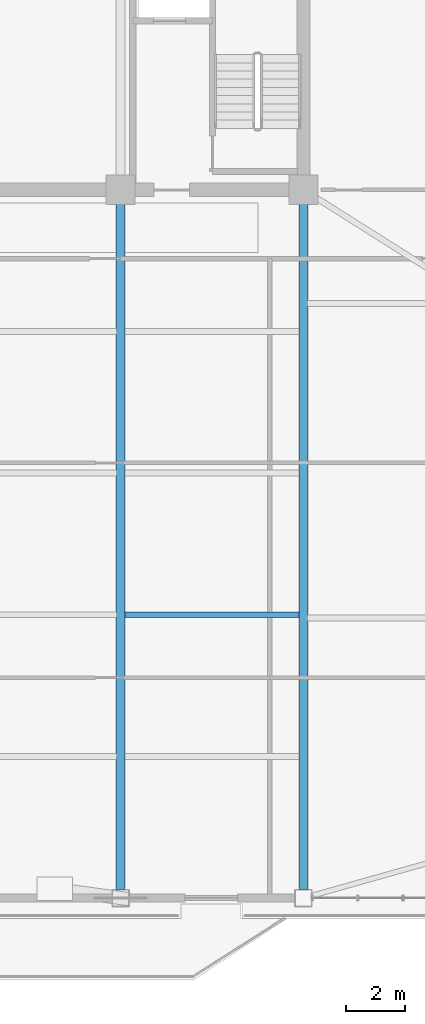
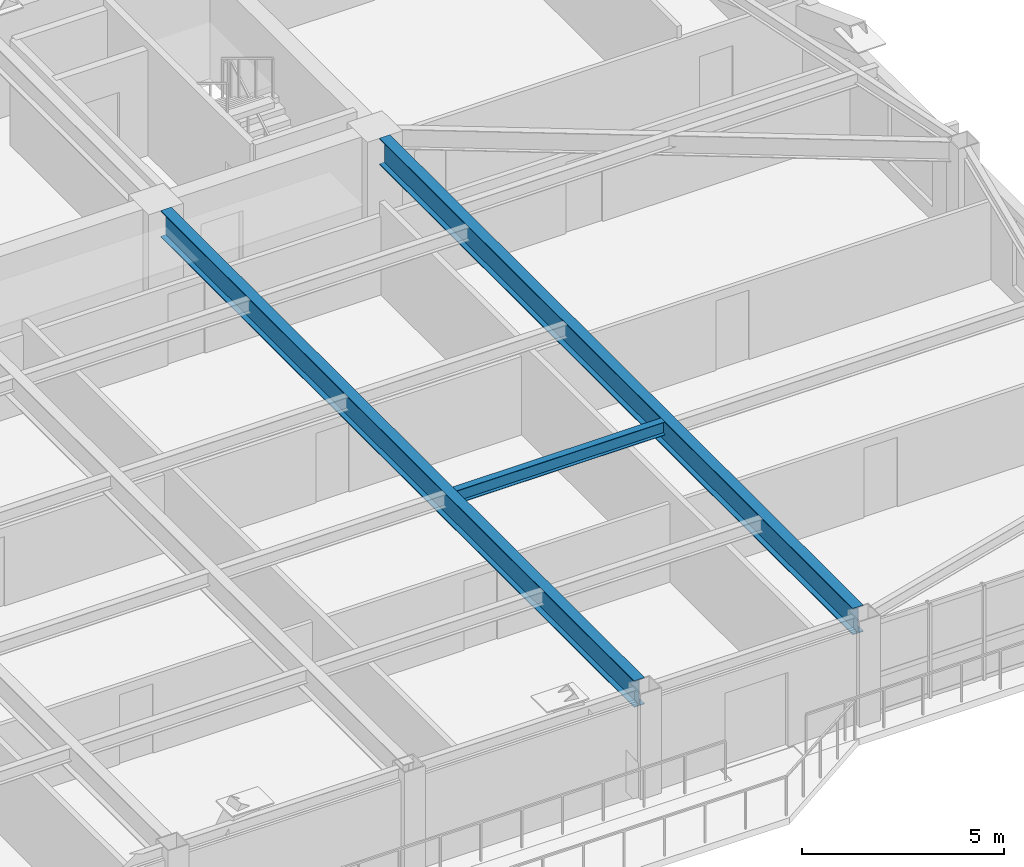
# One storey, part 5 of 16: 3 beams.
"""IFC4 building model written with IfcOpenShell, lengths in metres."""

from ifc_helpers import new_model, si_unit, direction, frame, origin, origin_2d, place, context, subcontext, project, spatial, i_section, extrude, source, transform, mapped, material, material_profile, profile_set, type_object, element, save


model = new_model("IFC4")

# Units and contexts
model_context = context("Model", 3, precision=1e-05, world=origin(), true_north=direction((0.0, 1.0)))
body_context = subcontext(model_context, "Body", "Model", "MODEL_VIEW")
ifc_project = project(units=[si_unit("LENGTHUNIT", "METRE"), si_unit("AREAUNIT", "SQUARE_METRE"), si_unit("VOLUMEUNIT", "CUBIC_METRE"), si_unit("PLANEANGLEUNIT", "RADIAN"), si_unit("MASSUNIT", "GRAM", prefix="KILO")], contexts=[model_context])

# Site, building, storey
site_placement = place(None, origin())
site = spatial("IfcSite", under=ifc_project, at=site_placement, CompositionType="ELEMENT")
building_placement = place(site_placement, origin())
building = spatial("IfcBuilding", under=site, at=building_placement, Name="Giltprow Tower", CompositionType="ELEMENT")
storey_placement = place(building_placement, frame((0.0, 0.0, 227.0)))
storey = spatial("IfcBuildingStorey", under=building, at=storey_placement, Name="L57", CompositionType="ELEMENT", Elevation=227.0)

# Beams
ifc_material = material(Name="Structural steel Q355B", Category="steel")
ifc_material_profile_1 = material_profile(ifc_material, i_section(OverallWidth=0.199951171875, OverallDepth=0.39990234375, WebThickness=0.008056640625, FlangeThickness=0.012939453125, at=origin_2d()), Name="HN 400x200x8x13")
ifc_profile_set_1 = profile_set([ifc_material_profile_1], Name="Structural steel Q355B")
beam_type_1 = type_object("IfcBeamType", Name="BM-JOIST-HN400", PredefinedType="JOIST", material=ifc_profile_set_1)
shared_shape_1 = source(origin(), body_context, "Body", "SweptSolid", [
    extrude(i_section(OverallWidth=0.199951171875, OverallDepth=0.39990234375, WebThickness=0.008056640625, FlangeThickness=0.012939453125, at=origin_2d()), origin(), (0.0, 0.0, 1.0), 5.9599609375),
])
beam_placement = place(storey_placement, frame((44.445068359375, 22.929931640625, 2.985107421875), z_axis=(1.0, 0.0, 0.0), x_axis=(0.0, 1.0, 0.0)))
element("IfcBeam", 1, at=beam_placement, inside=storey, type_object=beam_type_1, Name="L57 Composite Floor Joist 2-4", PredefinedType="JOIST", context=body_context, shape_type="MappedRepresentation", body=[
    mapped(shared_shape_1, transform((0.0, 0.0, 0.0), x_axis=(1.0, 0.0, 0.0), y_axis=(0.0, 1.0, 0.0), z_axis=(0.0, 0.0, 1.0), scale=1.0)),
])
ifc_material_profile_2 = material_profile(ifc_material, i_section(OverallWidth=0.300048828125, OverallDepth=0.800048828125, WebThickness=0.013916015625, FlangeThickness=0.02587890625, at=origin_2d()), Name="HN 800x300x14x26")
ifc_profile_set_2 = profile_set([ifc_material_profile_2], Name="Structural steel Q355B")
beam_type_2 = type_object("IfcBeamType", Name="BM-GIRD-HN800", PredefinedType="BEAM", material=ifc_profile_set_2)
shared_shape_2 = source(origin(), body_context, "Body", "SweptSolid", [
    extrude(i_section(OverallWidth=0.300048828125, OverallDepth=0.800048828125, WebThickness=0.013916015625, FlangeThickness=0.02587890625, at=origin_2d()), origin(), (0.0, 0.0, 1.0), 23.43017578125),
])
for number, where, z_axis, x_axis, name in (
    (2, (44.300048828125, 13.534912109375, 2.784912109375), (0.0, 1.0, 0.0), (-1.0, 0.0, 0.0), "L57 Primary Lease Girder S3"),
    (3, (50.550048828125, 13.534912109375, 2.784912109375), (0.0, 1.0, 0.0), (-1.0, 0.0, 0.0), "L57 Primary Lease Girder S4"),
):
    element("IfcBeam", number, at=place(storey_placement, frame(where, z_axis=z_axis, x_axis=x_axis)), inside=storey, type_object=beam_type_2, Name=name, PredefinedType="BEAM", context=body_context, shape_type="MappedRepresentation", body=[
        mapped(shared_shape_2, transform((0.0, 0.0, 0.0), x_axis=(1.0, 0.0, 0.0), y_axis=(0.0, 1.0, 0.0), z_axis=(0.0, 0.0, 1.0), scale=1.0)),
    ])

save(model, "model.ifc")
